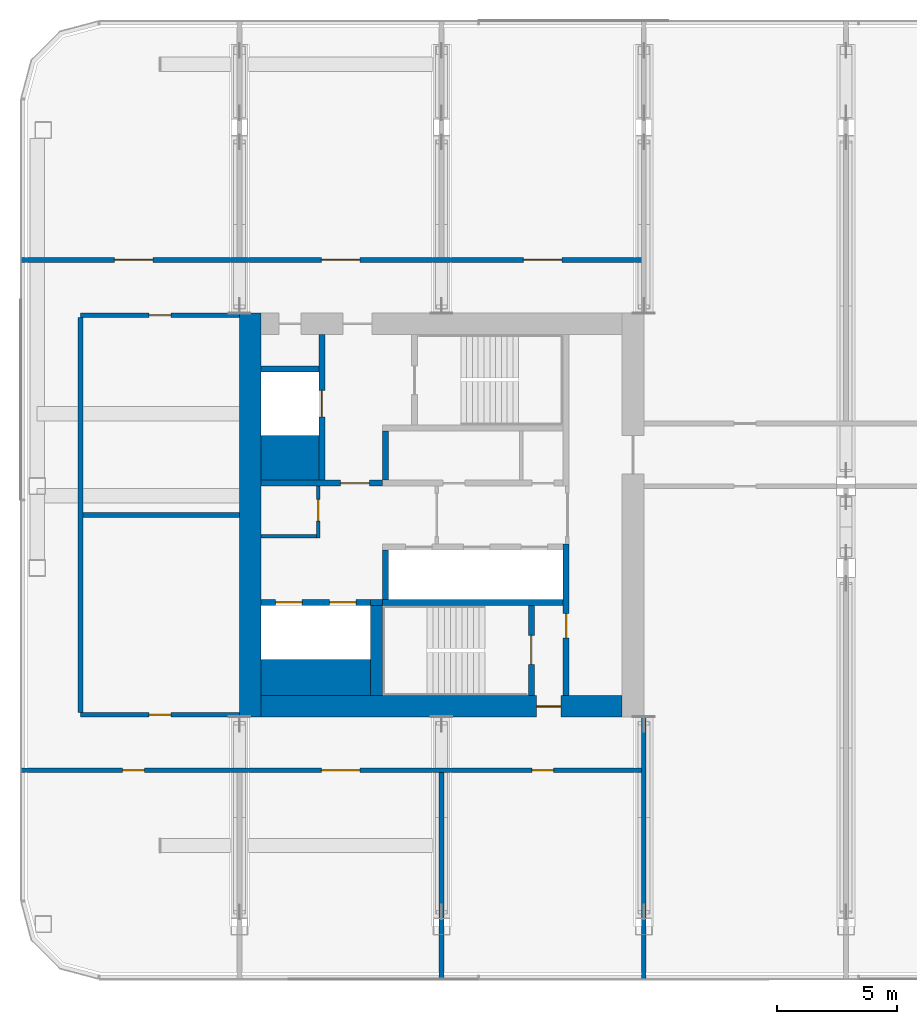
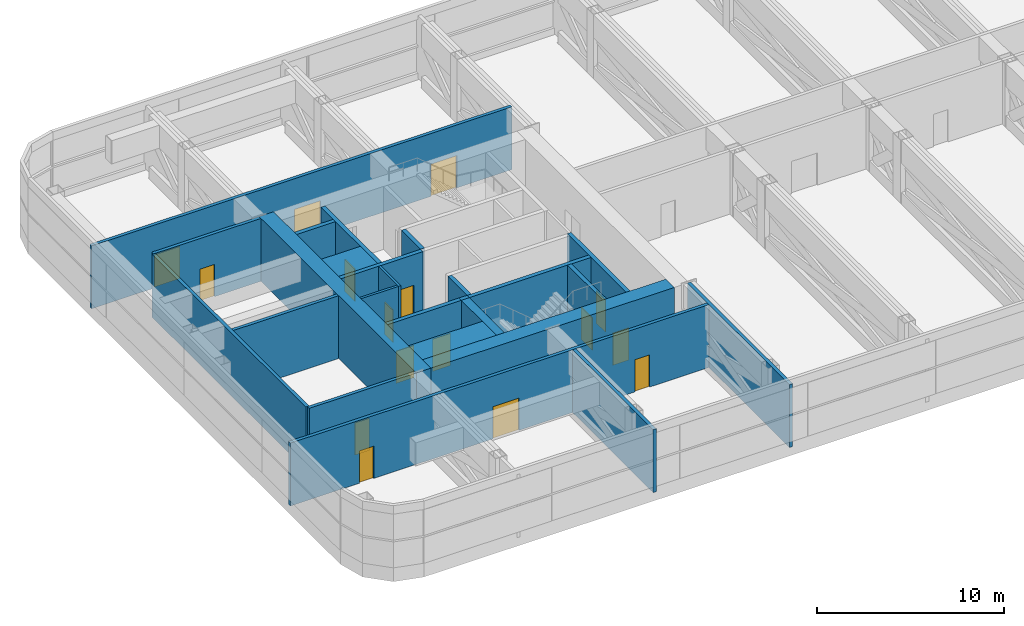
# One storey, part 15 of 33: 25 walls, 16 doors, 16 openings.
"""IFC4 building model written with IfcOpenShell, lengths in metres."""

from ifc_helpers import new_model, si_unit, direction, frame, frame_2d, origin, place, context, subcontext, project, spatial, rectangle, extrude, material, layer, layer_set, type_object, element, fill, save


model = new_model("IFC4")

# Units and contexts
model_context = context("Model", 3, precision=1e-05, world=origin(), true_north=direction((0.0, 1.0)))
body_context = subcontext(model_context, "Body", "Model", "MODEL_VIEW")
ifc_project = project(units=[si_unit("LENGTHUNIT", "METRE"), si_unit("AREAUNIT", "SQUARE_METRE"), si_unit("VOLUMEUNIT", "CUBIC_METRE"), si_unit("PLANEANGLEUNIT", "RADIAN"), si_unit("MASSUNIT", "GRAM", prefix="KILO")], contexts=[model_context])

# Site, building, storey
site_placement = place(None, origin())
site = spatial("IfcSite", under=ifc_project, at=site_placement, CompositionType="ELEMENT")
building_placement = place(site_placement, origin())
building = spatial("IfcBuilding", under=site, at=building_placement, Name="Hakoniwa Tower and Hamabe Station Hall", CompositionType="ELEMENT")
storey_placement = place(building_placement, frame((0.0, 0.0, 175.800048828125)))
storey = spatial("IfcBuildingStorey", under=building, at=storey_placement, Name="L50", CompositionType="ELEMENT", Elevation=175.800048828125)

# Wall, opening, door
ifc_material_1 = material(Name="Gypsum board partition")
ifc_layer_1 = layer(ifc_material_1, 0.14990234375)
ifc_layer_set_1 = layer_set([ifc_layer_1], Name="CORE PARTITION 150 EI 60")
wall_type_1 = type_object("IfcWallType", Name="CORE PARTITION 150 EI 60", PredefinedType="PARTITIONING", material=ifc_layer_set_1)
wall_1_placement = place(storey_placement, frame((-30.324951171875, -0.949951171875, 0.0), z_axis=(0.0, 0.0, 1.0), x_axis=(0.0, 1.0, 0.0)))
wall_1 = element("IfcWall", 1, at=wall_1_placement, inside=storey, type_object=wall_type_1, Name="Core partition PW0 west", PredefinedType="PARTITIONING", context=body_context, shape_type="SweptSolid", body=[
    extrude(rectangle(XDim=2.14990234375, YDim=0.14990234375, at=frame_2d((1.074951171875, 0.0))), origin(), (0.0, 0.0, 1.0), 4.099853515625),
])
opening_1_placement = place(wall_1_placement, frame((0.699951171875, 0.0, 0.0)))
opening_1 = element("IfcOpeningElement", 2, at=opening_1_placement, cuts=wall_1, Name="Opening CD-W-RM1-9", PredefinedType="OPENING", context=body_context, shape_type="SweptSolid", body=[
    extrude(rectangle(XDim=0.89990234375, YDim=2.10009765625, at=frame_2d((0.449951171875, 1.050048828125))), frame((0.0, 0.0849609375, 0.0), z_axis=(0.0, -1.0, 0.0), x_axis=(1.0, 0.0, 0.0)), (0.0, 0.0, 1.0), 0.169921875),
])
ifc_material_2 = material(Name="Steel fire door", Category="steel")
door_type_1 = type_object("IfcDoorType", Name="CORE DOOR 900 FD30", OperationType="NOTDEFINED", PredefinedType="DOOR", material=ifc_material_2)
door_1_placement = place(opening_1_placement, origin())
door_1 = element("IfcDoor", 3, at=door_1_placement, inside=storey, type_object=door_type_1, Name="Store room door", OperationType="SINGLE_SWING_LEFT", OverallHeight=2.10009765625, OverallWidth=0.89990234375, PredefinedType="DOOR", context=body_context, shape_type="SweptSolid", body=[
    extrude(rectangle(XDim=0.89990234375, YDim=2.10009765625, at=frame_2d((0.449951171875, 1.050048828125))), frame((0.0, 0.02490234375, 0.0), z_axis=(0.0, -1.0, 0.0), x_axis=(1.0, 0.0, 0.0)), (0.0, 0.0, 1.0), 0.050048828125),
])
fill(opening_1, door_1)

# Walls
wall_2_placement = place(storey_placement, frame((-32.699951171875, -0.875, 0.0), z_axis=(0.0, 0.0, 1.0), x_axis=(1.0, 0.0, 0.0)))
element("IfcWall", 4, at=wall_2_placement, inside=storey, type_object=wall_type_1, Name="Core partition PS west", PredefinedType="PARTITIONING", context=body_context, shape_type="SweptSolid", body=[
    extrude(rectangle(XDim=2.300048828125, YDim=0.14990234375, at=frame_2d((1.14990234375, 0.0))), origin(), (0.0, 0.0, 1.0), 4.099853515625),
])
ifc_material_3 = material(Name="Concrete C66", Category="concrete")
ifc_layer_2 = layer(ifc_material_3, 0.89990234375)
ifc_layer_set_2 = layer_set([ifc_layer_2], Name="CORE WALL 900 C66")
wall_type_2 = type_object("IfcWallType", Name="CORE WALL 900 C66", PredefinedType="SHEAR", material=ifc_layer_set_2)
wall_3_placement = place(storey_placement, frame((-33.14990234375, -8.39990234375, 0.0), z_axis=(0.0, 0.0, 1.0), x_axis=(0.0, 1.0, 0.0)))
element("IfcWall", 5, at=wall_3_placement, inside=storey, type_object=wall_type_2, Name="Core wall OUTER west", PredefinedType="SHEAR", context=body_context, shape_type="SweptSolid", body=[
    extrude(rectangle(XDim=16.7998046875, YDim=0.89990234375, at=frame_2d((8.39990234375, 0.0))), origin(), (0.0, 0.0, 1.0), 4.099853515625),
])

# Wall, opening, door
wall_4_placement = place(storey_placement, frame((-32.699951171875, -7.949951171875, 0.0), z_axis=(0.0, 0.0, 1.0), x_axis=(1.0, 0.0, 0.0)))
wall_4 = element("IfcWall", 6, at=wall_4_placement, inside=storey, type_object=wall_type_2, Name="Core wall SOUTH west", PredefinedType="SHEAR", context=body_context, shape_type="SweptSolid", body=[
    extrude(rectangle(XDim=15.0, YDim=0.89990234375, at=frame_2d((7.5, 0.0))), origin(), (0.0, 0.0, 1.0), 4.099853515625),
])
opening_2_placement = place(wall_4_placement, frame((11.449951171875, 0.0, 0.0)))
opening_2 = element("IfcOpeningElement", 7, at=opening_2_placement, cuts=wall_4, Name="Opening CD-W-FS3-10", PredefinedType="OPENING", context=body_context, shape_type="SweptSolid", body=[
    extrude(rectangle(XDim=1.0, YDim=2.10009765625, at=frame_2d((0.5, 1.050048828125))), frame((0.0, 0.4599609375, 0.0), z_axis=(0.0, -1.0, 0.0), x_axis=(1.0, 0.0, 0.0)), (0.0, 0.0, 1.0), 0.919921875),
])
ifc_material_4 = material(Name="Steel fire door", Category="steel")
door_type_2 = type_object("IfcDoorType", Name="CORE DOOR 1000 FD60", OperationType="NOTDEFINED", PredefinedType="DOOR", material=ifc_material_4)
door_2_placement = place(opening_2_placement, origin())
door_2 = element("IfcDoor", 8, at=door_2_placement, inside=storey, type_object=door_type_2, Name="Stair vestibule door", OperationType="SINGLE_SWING_LEFT", OverallHeight=2.10009765625, OverallWidth=1.0, PredefinedType="DOOR", context=body_context, shape_type="SweptSolid", body=[
    extrude(rectangle(XDim=1.0, YDim=2.10009765625, at=frame_2d((0.5, 1.050048828125))), frame((0.0, 0.02490234375, 0.0), z_axis=(0.0, -1.0, 0.0), x_axis=(1.0, 0.0, 0.0)), (0.0, 0.0, 1.0), 0.050048828125),
])
fill(opening_2, door_2)

# Walls
ifc_material_5 = material(Name="Concrete C66", Category="concrete")
ifc_layer_3 = layer(ifc_material_5, 1.5)
ifc_layer_set_3 = layer_set([ifc_layer_3], Name="CORE WEB WALL 1500 C66")
wall_type_3 = type_object("IfcWallType", Name="CORE WEB WALL 1500 C66", PredefinedType="SHEAR", material=ifc_layer_set_3)
wall_5_placement = place(storey_placement, frame((-32.699951171875, -6.75, 0.0), z_axis=(0.0, 0.0, 1.0), x_axis=(1.0, 0.0, 0.0)))
element("IfcWall", 9, at=wall_5_placement, inside=storey, type_object=wall_type_3, Name="Core wall SER west", PredefinedType="SHEAR", context=body_context, shape_type="SweptSolid", body=[
    extrude(rectangle(XDim=4.550048828125, YDim=1.5, at=frame_2d((2.27490234375, 0.0))), origin(), (0.0, 0.0, 1.0), 4.099853515625),
])
ifc_material_6 = material(Name="Concrete C66", Category="concrete")
ifc_layer_4 = layer(ifc_material_6, 1.85009765625)
ifc_layer_set_4 = layer_set([ifc_layer_4], Name="CORE WEB WALL 1850 C66")
wall_type_4 = type_object("IfcWallType", Name="CORE WEB WALL 1850 C66", PredefinedType="SHEAR", material=ifc_layer_set_4)
wall_6_placement = place(storey_placement, frame((-32.699951171875, 2.375, 0.0), z_axis=(0.0, 0.0, 1.0), x_axis=(1.0, 0.0, 0.0)))
element("IfcWall", 10, at=wall_6_placement, inside=storey, type_object=wall_type_4, Name="Core wall CA west", PredefinedType="SHEAR", context=body_context, shape_type="SweptSolid", body=[
    extrude(rectangle(XDim=2.39990234375, YDim=1.85009765625, at=frame_2d((1.199951171875, 0.0))), origin(), (0.0, 0.0, 1.0), 4.099853515625),
])

# Wall, opening, door
ifc_material_7 = material(Name="Concrete C66", Category="concrete")
ifc_layer_5 = layer(ifc_material_7, 0.25)
ifc_layer_set_5 = layer_set([ifc_layer_5], Name="CORE WEB WALL 250 C66")
wall_type_5 = type_object("IfcWallType", Name="CORE WEB WALL 250 C66", PredefinedType="SHEAR", material=ifc_layer_set_5)
wall_7_placement = place(storey_placement, frame((-20.02490234375, -7.5, 0.0), z_axis=(0.0, 0.0, 1.0), x_axis=(0.0, 1.0, 0.0)))
wall_7 = element("IfcWall", 11, at=wall_7_placement, inside=storey, type_object=wall_type_5, Name="Core wall W1S west", PredefinedType="SHEAR", context=body_context, shape_type="SweptSolid", body=[
    extrude(rectangle(XDim=6.300048828125, YDim=0.25, at=frame_2d((3.14990234375, 0.0))), origin(), (0.0, 0.0, 1.0), 4.099853515625),
])
opening_3_placement = place(wall_7_placement, frame((2.39990234375, 0.0, 0.0)))
opening_3 = element("IfcOpeningElement", 12, at=opening_3_placement, cuts=wall_7, Name="Opening CD-W-VS-10", PredefinedType="OPENING", context=body_context, shape_type="SweptSolid", body=[
    extrude(rectangle(XDim=1.0, YDim=2.10009765625, at=frame_2d((0.5, 1.050048828125))), frame((0.0, 0.135009765625, 0.0), z_axis=(0.0, -1.0, 0.0), x_axis=(1.0, 0.0, 0.0)), (0.0, 0.0, 1.0), 0.27001953125),
])
door_3_placement = place(opening_3_placement, origin())
door_3 = element("IfcDoor", 13, at=door_3_placement, inside=storey, type_object=door_type_2, Name="Stair vestibule door", OperationType="SINGLE_SWING_LEFT", OverallHeight=2.10009765625, OverallWidth=1.0, PredefinedType="DOOR", context=body_context, shape_type="SweptSolid", body=[
    extrude(rectangle(XDim=1.0, YDim=2.10009765625, at=frame_2d((0.5, 1.050048828125))), frame((0.0, 0.02490234375, 0.0), z_axis=(0.0, -1.0, 0.0), x_axis=(1.0, 0.0, 0.0)), (0.0, 0.0, 1.0), 0.050048828125),
])
fill(opening_3, door_3)

# Wall
wall_8_placement = place(storey_placement, frame((-27.52490234375, 1.449951171875, 0.0), z_axis=(0.0, 0.0, 1.0), x_axis=(0.0, 1.0, 0.0)))
element("IfcWall", 14, at=wall_8_placement, inside=storey, type_object=wall_type_5, Name="Core wall NE west", PredefinedType="SHEAR", context=body_context, shape_type="SweptSolid", body=[
    extrude(rectangle(XDim=2.050048828125, YDim=0.25, at=frame_2d((1.02490234375, 0.0))), origin(), (0.0, 0.0, 1.0), 4.099853515625),
])

# Wall, opening, door
wall_9_placement = place(storey_placement, frame((-32.699951171875, 1.324951171875, 0.0), z_axis=(0.0, 0.0, 1.0), x_axis=(1.0, 0.0, 0.0)))
wall_9 = element("IfcWall", 15, at=wall_9_placement, inside=storey, type_object=wall_type_5, Name="Core wall ELN west", PredefinedType="SHEAR", context=body_context, shape_type="SweptSolid", body=[
    extrude(rectangle(XDim=5.050048828125, YDim=0.25, at=frame_2d((2.52490234375, 0.0))), origin(), (0.0, 0.0, 1.0), 4.099853515625),
])
opening_4_placement = place(wall_9_placement, frame((3.300048828125, 0.0, 0.0)))
opening_4 = element("IfcOpeningElement", 16, at=opening_4_placement, cuts=wall_9, Name="Opening CD-W-FL-12", PredefinedType="OPENING", context=body_context, shape_type="SweptSolid", body=[
    extrude(rectangle(XDim=1.199951171875, YDim=2.10009765625, at=frame_2d((0.60009765625, 1.050048828125))), frame((0.0, 0.135009765625, 0.0), z_axis=(0.0, -1.0, 0.0), x_axis=(1.0, 0.0, 0.0)), (0.0, 0.0, 1.0), 0.27001953125),
])
ifc_material_8 = material(Name="Steel fire door", Category="steel")
door_type_3 = type_object("IfcDoorType", Name="CORE DOOR 1200 FD60", OperationType="DOUBLE_DOOR_SINGLE_SWING", PredefinedType="DOOR", material=ifc_material_8)
door_4_placement = place(opening_4_placement, origin())
door_4 = element("IfcDoor", 17, at=door_4_placement, inside=storey, type_object=door_type_3, Name="Stair vestibule door to the fire-fighting lobby", OperationType="DOUBLE_DOOR_SINGLE_SWING", OverallHeight=2.10009765625, OverallWidth=1.199951171875, PredefinedType="DOOR", context=body_context, shape_type="SweptSolid", body=[
    extrude(rectangle(XDim=1.199951171875, YDim=2.10009765625, at=frame_2d((0.60009765625, 1.050048828125))), frame((0.0, 0.02490234375, 0.0), z_axis=(0.0, -1.0, 0.0), x_axis=(1.0, 0.0, 0.0)), (0.0, 0.0, 1.0), 0.050048828125),
])
fill(opening_4, door_4)

wall_10_placement = place(storey_placement, frame((-30.175048828125, 1.449951171875, 0.0), z_axis=(0.0, 0.0, 1.0), x_axis=(0.0, 1.0, 0.0)))
wall_10 = element("IfcWall", 18, at=wall_10_placement, inside=storey, type_object=wall_type_5, Name="Core wall FFF west", PredefinedType="SHEAR", context=body_context, shape_type="SweptSolid", body=[
    extrude(rectangle(XDim=6.050048828125, YDim=0.25, at=frame_2d((3.02490234375, 0.0))), origin(), (0.0, 0.0, 1.0), 4.099853515625),
])
opening_5_placement = place(wall_10_placement, frame((2.625, 0.0, 0.0)))
opening_5 = element("IfcOpeningElement", 19, at=opening_5_placement, cuts=wall_10, Name="Opening LD-FF1", PredefinedType="OPENING", context=body_context, shape_type="SweptSolid", body=[
    extrude(rectangle(XDim=1.10009765625, YDim=2.10009765625, at=frame_2d((0.550048828125, 1.050048828125))), frame((0.0, 0.135009765625, 0.0), z_axis=(0.0, -1.0, 0.0), x_axis=(1.0, 0.0, 0.0)), (0.0, 0.0, 1.0), 0.27001953125),
])
ifc_material_9 = material(Name="Stainless steel SUS304", Category="steel")
door_type_4 = type_object("IfcDoorType", Name="LIFT LANDING DOOR 1100 FD60", OperationType="DOUBLE_DOOR_SLIDING", PredefinedType="DOOR", material=ifc_material_9)
door_5_placement = place(opening_5_placement, origin())
door_5 = element("IfcDoor", 20, at=door_5_placement, inside=storey, type_object=door_type_4, Name="Lift landing door FF1 L50", OperationType="DOUBLE_DOOR_SLIDING", OverallHeight=2.10009765625, OverallWidth=1.10009765625, PredefinedType="DOOR", context=body_context, shape_type="SweptSolid", body=[
    extrude(rectangle(XDim=1.10009765625, YDim=2.10009765625, at=frame_2d((0.550048828125, 1.050048828125))), frame((0.0, 0.02490234375, 0.0), z_axis=(0.0, -1.0, 0.0), x_axis=(1.0, 0.0, 0.0)), (0.0, 0.0, 1.0), 0.050048828125),
])
fill(opening_5, door_5)

# Walls
wall_11_placement = place(storey_placement, frame((-32.699951171875, 6.074951171875, 0.0), z_axis=(0.0, 0.0, 1.0), x_axis=(1.0, 0.0, 0.0)))
element("IfcWall", 21, at=wall_11_placement, inside=storey, type_object=wall_type_5, Name="Core wall C2 west", PredefinedType="SHEAR", context=body_context, shape_type="SweptSolid", body=[
    extrude(rectangle(XDim=2.39990234375, YDim=0.25, at=frame_2d((1.199951171875, 0.0))), origin(), (0.0, 0.0, 1.0), 4.099853515625),
])
wall_12_placement = place(storey_placement, frame((-27.52490234375, -3.5, 0.0), z_axis=(0.0, 0.0, 1.0), x_axis=(0.0, 1.0, 0.0)))
element("IfcWall", 22, at=wall_12_placement, inside=storey, type_object=wall_type_5, Name="Core wall SE west", PredefinedType="SHEAR", context=body_context, shape_type="SweptSolid", body=[
    extrude(rectangle(XDim=2.050048828125, YDim=0.25, at=frame_2d((1.02490234375, 0.0))), origin(), (0.0, 0.0, 1.0), 4.099853515625),
])
wall_13_placement = place(storey_placement, frame((-27.64990234375, -3.625, 0.0), z_axis=(0.0, 0.0, 1.0), x_axis=(1.0, 0.0, 0.0)))
element("IfcWall", 23, at=wall_13_placement, inside=storey, type_object=wall_type_5, Name="Core wall SR west", PredefinedType="SHEAR", context=body_context, shape_type="SweptSolid", body=[
    extrude(rectangle(XDim=7.5, YDim=0.25, at=frame_2d((3.75, 0.0))), origin(), (0.0, 0.0, 1.0), 4.099853515625),
])

# Wall, opening, door
wall_14_placement = place(storey_placement, frame((-21.47509765625, -7.5, 0.0), z_axis=(0.0, 0.0, 1.0), x_axis=(0.0, 1.0, 0.0)))
wall_14 = element("IfcWall", 24, at=wall_14_placement, inside=storey, type_object=wall_type_5, Name="Core wall VE west", PredefinedType="SHEAR", context=body_context, shape_type="SweptSolid", body=[
    extrude(rectangle(XDim=3.75, YDim=0.25, at=frame_2d((1.875, 0.0))), origin(), (0.0, 0.0, 1.0), 4.099853515625),
])
opening_6_placement = place(wall_14_placement, frame((1.300048828125, 0.0, 0.0)))
opening_6 = element("IfcOpeningElement", 25, at=opening_6_placement, cuts=wall_14, Name="Opening CD-W-SS-12", PredefinedType="OPENING", context=body_context, shape_type="SweptSolid", body=[
    extrude(rectangle(XDim=1.199951171875, YDim=2.10009765625, at=frame_2d((0.60009765625, 1.050048828125))), frame((0.0, 0.135009765625, 0.0), z_axis=(0.0, -1.0, 0.0), x_axis=(1.0, 0.0, 0.0)), (0.0, 0.0, 1.0), 0.27001953125),
])
door_6_placement = place(opening_6_placement, origin())
door_6 = element("IfcDoor", 26, at=door_6_placement, inside=storey, type_object=door_type_3, Name="Escape stair door", OperationType="DOUBLE_DOOR_SINGLE_SWING", OverallHeight=2.10009765625, OverallWidth=1.199951171875, PredefinedType="DOOR", context=body_context, shape_type="SweptSolid", body=[
    extrude(rectangle(XDim=1.199951171875, YDim=2.10009765625, at=frame_2d((0.60009765625, 1.050048828125))), frame((0.0, 0.02490234375, 0.0), z_axis=(0.0, -1.0, 0.0), x_axis=(1.0, 0.0, 0.0)), (0.0, 0.0, 1.0), 0.050048828125),
])
fill(opening_6, door_6)

# Wall, openings, doors
wall_15_placement = place(storey_placement, frame((-32.699951171875, -3.625, 0.0), z_axis=(0.0, 0.0, 1.0), x_axis=(1.0, 0.0, 0.0)))
wall_15 = element("IfcWall", 27, at=wall_15_placement, inside=storey, type_object=wall_type_5, Name="Core wall SEF west", PredefinedType="SHEAR", context=body_context, shape_type="SweptSolid", body=[
    extrude(rectangle(XDim=4.550048828125, YDim=0.25, at=frame_2d((2.27490234375, 0.0))), origin(), (0.0, 0.0, 1.0), 4.099853515625),
])
opening_7_placement = place(wall_15_placement, frame((2.85009765625, 0.0, 0.0)))
opening_7 = element("IfcOpeningElement", 28, at=opening_7_placement, cuts=wall_15, Name="Opening LD-SV1", PredefinedType="OPENING", context=body_context, shape_type="SweptSolid", body=[
    extrude(rectangle(XDim=1.10009765625, YDim=2.10009765625, at=frame_2d((0.550048828125, 1.050048828125))), frame((0.0, 0.135009765625, 0.0), z_axis=(0.0, -1.0, 0.0), x_axis=(1.0, 0.0, 0.0)), (0.0, 0.0, 1.0), 0.27001953125),
])
opening_8_placement = place(wall_15_placement, frame((0.60009765625, 0.0, 0.0)))
opening_8 = element("IfcOpeningElement", 29, at=opening_8_placement, cuts=wall_15, Name="Opening LD-SV2", PredefinedType="OPENING", context=body_context, shape_type="SweptSolid", body=[
    extrude(rectangle(XDim=1.10009765625, YDim=2.10009765625, at=frame_2d((0.550048828125, 1.050048828125))), frame((0.0, 0.135009765625, 0.0), z_axis=(0.0, -1.0, 0.0), x_axis=(1.0, 0.0, 0.0)), (0.0, 0.0, 1.0), 0.27001953125),
])
door_7_placement = place(opening_7_placement, origin())
door_7 = element("IfcDoor", 30, at=door_7_placement, inside=storey, type_object=door_type_4, Name="Lift landing door SV1 L50", OperationType="DOUBLE_DOOR_SLIDING", OverallHeight=2.10009765625, OverallWidth=1.10009765625, PredefinedType="DOOR", context=body_context, shape_type="SweptSolid", body=[
    extrude(rectangle(XDim=1.10009765625, YDim=2.10009765625, at=frame_2d((0.550048828125, 1.050048828125))), frame((0.0, 0.02490234375, 0.0), z_axis=(0.0, -1.0, 0.0), x_axis=(1.0, 0.0, 0.0)), (0.0, 0.0, 1.0), 0.050048828125),
])
fill(opening_7, door_7)
door_8_placement = place(opening_8_placement, origin())
door_8 = element("IfcDoor", 31, at=door_8_placement, inside=storey, type_object=door_type_4, Name="Lift landing door SV2 L50", OperationType="DOUBLE_DOOR_SLIDING", OverallHeight=2.10009765625, OverallWidth=1.10009765625, PredefinedType="DOOR", context=body_context, shape_type="SweptSolid", body=[
    extrude(rectangle(XDim=1.10009765625, YDim=2.10009765625, at=frame_2d((0.550048828125, 1.050048828125))), frame((0.0, 0.02490234375, 0.0), z_axis=(0.0, -1.0, 0.0), x_axis=(1.0, 0.0, 0.0)), (0.0, 0.0, 1.0), 0.050048828125),
])
fill(opening_8, door_8)

# Walls
wall_16_placement = place(storey_placement, frame((-28.14990234375, -3.625, 0.0), z_axis=(0.0, 0.0, 1.0), x_axis=(1.0, 0.0, 0.0)))
element("IfcWall", 32, at=wall_16_placement, inside=storey, type_object=wall_type_5, Name="Core wall SRK west", PredefinedType="SHEAR", context=body_context, shape_type="SweptSolid", body=[
    extrude(rectangle(XDim=0.5, YDim=0.25, at=frame_2d((0.25, 0.0))), origin(), (0.0, 0.0, 1.0), 4.099853515625),
])
ifc_material_10 = material(Name="Concrete C66", Category="concrete")
ifc_layer_6 = layer(ifc_material_10, 0.5)
ifc_layer_set_6 = layer_set([ifc_layer_6], Name="CORE WEB WALL 500 C66")
wall_type_6 = type_object("IfcWallType", Name="CORE WEB WALL 500 C66", PredefinedType="SHEAR", material=ifc_layer_set_6)
wall_17_placement = place(storey_placement, frame((-27.89990234375, -7.5, 0.0), z_axis=(0.0, 0.0, 1.0), x_axis=(0.0, 1.0, 0.0)))
element("IfcWall", 33, at=wall_17_placement, inside=storey, type_object=wall_type_6, Name="Core wall SSE west", PredefinedType="SHEAR", context=body_context, shape_type="SweptSolid", body=[
    extrude(rectangle(XDim=3.75, YDim=0.5, at=frame_2d((1.875, 0.0))), origin(), (0.0, 0.0, 1.0), 4.099853515625),
])

# Wall, openings, doors
ifc_material_11 = material(Name="Fire-rated gypsum board partition", Category="gypsum")
ifc_layer_7 = layer(ifc_material_11, 0.199951171875)
ifc_layer_set_7 = layer_set([ifc_layer_7], Name="Corridor Wall 200")
wall_type_7 = type_object("IfcWallType", Name="Corridor Wall 200", PredefinedType="PARTITIONING", material=ifc_layer_set_7)
wall_18_placement = place(storey_placement, frame((-42.699951171875, -10.60009765625, 0.0), z_axis=(0.0, 0.0, 1.0), x_axis=(1.0, 0.0, 0.0)))
wall_18 = element("IfcWall", 34, at=wall_18_placement, inside=storey, type_object=wall_type_7, Name="GW-L50-001", PredefinedType="PARTITIONING", context=body_context, shape_type="SweptSolid", body=[
    extrude(rectangle(XDim=25.89990234375, YDim=0.199951171875, at=frame_2d((12.949951171875, 0.0))), origin(), (0.0, 0.0, 1.0), 4.099853515625),
])
opening_9_placement = place(wall_18_placement, frame((4.25, 0.0, 0.0)))
opening_9 = element("IfcOpeningElement", 35, at=opening_9_placement, cuts=wall_18, Name="Opening GD-SL50-01", PredefinedType="OPENING", context=body_context, shape_type="SweptSolid", body=[
    extrude(rectangle(XDim=0.89990234375, YDim=2.10009765625, at=frame_2d((0.449951171875, 1.050048828125))), frame((0.0, 0.10986328125, 0.0), z_axis=(0.0, -1.0, 0.0), x_axis=(1.0, 0.0, 0.0)), (0.0, 0.0, 1.0), 0.219970703125),
])
opening_10_placement = place(wall_18_placement, frame((12.5, 0.0, 0.0)))
opening_10 = element("IfcOpeningElement", 36, at=opening_10_placement, cuts=wall_18, Name="Opening GD-SL50-02", PredefinedType="OPENING", context=body_context, shape_type="SweptSolid", body=[
    extrude(rectangle(XDim=1.60009765625, YDim=2.10009765625, at=frame_2d((0.800048828125, 1.050048828125))), frame((0.0, 0.10986328125, 0.0), z_axis=(0.0, -1.0, 0.0), x_axis=(1.0, 0.0, 0.0)), (0.0, 0.0, 1.0), 0.219970703125),
])
opening_11_placement = place(wall_18_placement, frame((21.25, 0.0, 0.0)))
opening_11 = element("IfcOpeningElement", 37, at=opening_11_placement, cuts=wall_18, Name="Opening GD-SL50-03", PredefinedType="OPENING", context=body_context, shape_type="SweptSolid", body=[
    extrude(rectangle(XDim=0.89990234375, YDim=2.10009765625, at=frame_2d((0.449951171875, 1.050048828125))), frame((0.0, 0.10986328125, 0.0), z_axis=(0.0, -1.0, 0.0), x_axis=(1.0, 0.0, 0.0)), (0.0, 0.0, 1.0), 0.219970703125),
])
ifc_material_12 = material(Name="Timber door leaf", Category="wood")
door_type_5 = type_object("IfcDoorType", Name="Double Door 1600", OperationType="DOUBLE_DOOR_SINGLE_SWING", PredefinedType="DOOR", material=ifc_material_12)
door_9_placement = place(opening_10_placement, origin())
door_9 = element("IfcDoor", 38, at=door_9_placement, inside=storey, type_object=door_type_5, Name="Door GD-SL50-02", OperationType="DOUBLE_DOOR_SINGLE_SWING", OverallHeight=2.10009765625, OverallWidth=1.60009765625, PredefinedType="DOOR", context=body_context, shape_type="SweptSolid", body=[
    extrude(rectangle(XDim=1.60009765625, YDim=2.10009765625, at=frame_2d((0.800048828125, 1.050048828125))), frame((0.0, 0.02490234375, 0.0), z_axis=(0.0, -1.0, 0.0), x_axis=(1.0, 0.0, 0.0)), (0.0, 0.0, 1.0), 0.050048828125),
])
fill(opening_10, door_9)
ifc_material_13 = material(Name="Timber door leaf", Category="wood")
door_type_6 = type_object("IfcDoorType", Name="Service Door 900", OperationType="SINGLE_SWING_LEFT", PredefinedType="DOOR", material=ifc_material_13)
door_10_placement = place(opening_9_placement, origin())
door_10 = element("IfcDoor", 39, at=door_10_placement, inside=storey, type_object=door_type_6, Name="Door GD-SL50-01", OperationType="SINGLE_SWING_LEFT", OverallHeight=2.10009765625, OverallWidth=0.89990234375, PredefinedType="DOOR", context=body_context, shape_type="SweptSolid", body=[
    extrude(rectangle(XDim=0.89990234375, YDim=2.10009765625, at=frame_2d((0.449951171875, 1.050048828125))), frame((0.0, 0.02490234375, 0.0), z_axis=(0.0, -1.0, 0.0), x_axis=(1.0, 0.0, 0.0)), (0.0, 0.0, 1.0), 0.050048828125),
])
fill(opening_9, door_10)
door_11_placement = place(opening_11_placement, origin())
door_11 = element("IfcDoor", 40, at=door_11_placement, inside=storey, type_object=door_type_6, Name="Door GD-SL50-03", OperationType="SINGLE_SWING_LEFT", OverallHeight=2.10009765625, OverallWidth=0.89990234375, PredefinedType="DOOR", context=body_context, shape_type="SweptSolid", body=[
    extrude(rectangle(XDim=0.89990234375, YDim=2.10009765625, at=frame_2d((0.449951171875, 1.050048828125))), frame((0.0, 0.02490234375, 0.0), z_axis=(0.0, -1.0, 0.0), x_axis=(1.0, 0.0, 0.0)), (0.0, 0.0, 1.0), 0.050048828125),
])
fill(opening_11, door_11)

# Wall, opening, door
wall_19_placement = place(storey_placement, frame((-40.199951171875, -8.300048828125, 0.0), z_axis=(0.0, 0.0, 1.0), x_axis=(1.0, 0.0, 0.0)))
wall_19 = element("IfcWall", 41, at=wall_19_placement, inside=storey, type_object=wall_type_7, Name="GW-L50-003", PredefinedType="PARTITIONING", context=body_context, shape_type="SweptSolid", body=[
    extrude(rectangle(XDim=6.599853515625, YDim=0.199951171875, at=frame_2d((3.2998046875, 0.0))), origin(), (0.0, 0.0, 1.0), 4.099853515625),
])
opening_12_placement = place(wall_19_placement, frame((2.85009765625, 0.0, 0.0)))
opening_12 = element("IfcOpeningElement", 42, at=opening_12_placement, cuts=wall_19, Name="Opening GD-SL50-07", PredefinedType="OPENING", context=body_context, shape_type="SweptSolid", body=[
    extrude(rectangle(XDim=0.89990234375, YDim=2.10009765625, at=frame_2d((0.449951171875, 1.050048828125))), frame((0.0, 0.10986328125, 0.0), z_axis=(0.0, -1.0, 0.0), x_axis=(1.0, 0.0, 0.0)), (0.0, 0.0, 1.0), 0.219970703125),
])
door_12_placement = place(opening_12_placement, origin())
door_12 = element("IfcDoor", 43, at=door_12_placement, inside=storey, type_object=door_type_6, Name="Door GD-SL50-07", OperationType="SINGLE_SWING_RIGHT", OverallHeight=2.10009765625, OverallWidth=0.89990234375, PredefinedType="DOOR", context=body_context, shape_type="SweptSolid", body=[
    extrude(rectangle(XDim=0.89990234375, YDim=2.10009765625, at=frame_2d((0.449951171875, 1.050048828125))), frame((0.0, 0.02490234375, 0.0), z_axis=(0.0, -1.0, 0.0), x_axis=(1.0, 0.0, 0.0)), (0.0, 0.0, 1.0), 0.050048828125),
])
fill(opening_12, door_12)

wall_20_placement = place(storey_placement, frame((-40.199951171875, 8.300048828125, 0.0), z_axis=(0.0, 0.0, 1.0), x_axis=(1.0, 0.0, 0.0)))
wall_20 = element("IfcWall", 44, at=wall_20_placement, inside=storey, type_object=wall_type_7, Name="GW-L50-009", PredefinedType="PARTITIONING", context=body_context, shape_type="SweptSolid", body=[
    extrude(rectangle(XDim=6.599853515625, YDim=0.199951171875, at=frame_2d((3.2998046875, 0.0))), origin(), (0.0, 0.0, 1.0), 4.099853515625),
])
opening_13_placement = place(wall_20_placement, frame((2.85009765625, 0.0, 0.0)))
opening_13 = element("IfcOpeningElement", 45, at=opening_13_placement, cuts=wall_20, Name="Opening GD-SL50-17", PredefinedType="OPENING", context=body_context, shape_type="SweptSolid", body=[
    extrude(rectangle(XDim=0.89990234375, YDim=2.10009765625, at=frame_2d((0.449951171875, 1.050048828125))), frame((0.0, 0.10986328125, 0.0), z_axis=(0.0, -1.0, 0.0), x_axis=(1.0, 0.0, 0.0)), (0.0, 0.0, 1.0), 0.219970703125),
])
door_13_placement = place(opening_13_placement, origin())
door_13 = element("IfcDoor", 46, at=door_13_placement, inside=storey, type_object=door_type_6, Name="Door GD-SL50-17", OperationType="SINGLE_SWING_RIGHT", OverallHeight=2.10009765625, OverallWidth=0.89990234375, PredefinedType="DOOR", context=body_context, shape_type="SweptSolid", body=[
    extrude(rectangle(XDim=0.89990234375, YDim=2.10009765625, at=frame_2d((0.449951171875, 1.050048828125))), frame((0.0, 0.02490234375, 0.0), z_axis=(0.0, -1.0, 0.0), x_axis=(1.0, 0.0, 0.0)), (0.0, 0.0, 1.0), 0.050048828125),
])
fill(opening_13, door_13)

# Wall, openings, doors
wall_21_placement = place(storey_placement, frame((-42.699951171875, 10.60009765625, 0.0), z_axis=(0.0, 0.0, 1.0), x_axis=(1.0, 0.0, 0.0)))
wall_21 = element("IfcWall", 47, at=wall_21_placement, inside=storey, type_object=wall_type_7, Name="GW-L50-011", PredefinedType="PARTITIONING", context=body_context, shape_type="SweptSolid", body=[
    extrude(rectangle(XDim=25.89990234375, YDim=0.199951171875, at=frame_2d((12.949951171875, 0.0))), origin(), (0.0, 0.0, 1.0), 4.099853515625),
])
opening_14_placement = place(wall_21_placement, frame((3.89990234375, 0.0, 0.0)))
opening_14 = element("IfcOpeningElement", 48, at=opening_14_placement, cuts=wall_21, Name="Opening GD-SL50-20", PredefinedType="OPENING", context=body_context, shape_type="SweptSolid", body=[
    extrude(rectangle(XDim=1.60009765625, YDim=2.10009765625, at=frame_2d((0.800048828125, 1.050048828125))), frame((0.0, 0.10986328125, 0.0), z_axis=(0.0, -1.0, 0.0), x_axis=(1.0, 0.0, 0.0)), (0.0, 0.0, 1.0), 0.219970703125),
])
opening_15_placement = place(wall_21_placement, frame((12.5, 0.0, 0.0)))
opening_15 = element("IfcOpeningElement", 49, at=opening_15_placement, cuts=wall_21, Name="Opening GD-SL50-21", PredefinedType="OPENING", context=body_context, shape_type="SweptSolid", body=[
    extrude(rectangle(XDim=1.60009765625, YDim=2.10009765625, at=frame_2d((0.800048828125, 1.050048828125))), frame((0.0, 0.10986328125, 0.0), z_axis=(0.0, -1.0, 0.0), x_axis=(1.0, 0.0, 0.0)), (0.0, 0.0, 1.0), 0.219970703125),
])
opening_16_placement = place(wall_21_placement, frame((20.89990234375, 0.0, 0.0)))
opening_16 = element("IfcOpeningElement", 50, at=opening_16_placement, cuts=wall_21, Name="Opening GD-SL50-22", PredefinedType="OPENING", context=body_context, shape_type="SweptSolid", body=[
    extrude(rectangle(XDim=1.60009765625, YDim=2.10009765625, at=frame_2d((0.800048828125, 1.050048828125))), frame((0.0, 0.10986328125, 0.0), z_axis=(0.0, -1.0, 0.0), x_axis=(1.0, 0.0, 0.0)), (0.0, 0.0, 1.0), 0.219970703125),
])
door_14_placement = place(opening_14_placement, origin())
door_14 = element("IfcDoor", 51, at=door_14_placement, inside=storey, type_object=door_type_5, Name="Door GD-SL50-20", OperationType="DOUBLE_DOOR_SINGLE_SWING", OverallHeight=2.10009765625, OverallWidth=1.60009765625, PredefinedType="DOOR", context=body_context, shape_type="SweptSolid", body=[
    extrude(rectangle(XDim=1.60009765625, YDim=2.10009765625, at=frame_2d((0.800048828125, 1.050048828125))), frame((0.0, 0.02490234375, 0.0), z_axis=(0.0, -1.0, 0.0), x_axis=(1.0, 0.0, 0.0)), (0.0, 0.0, 1.0), 0.050048828125),
])
fill(opening_14, door_14)
door_15_placement = place(opening_15_placement, origin())
door_15 = element("IfcDoor", 52, at=door_15_placement, inside=storey, type_object=door_type_5, Name="Door GD-SL50-21", OperationType="DOUBLE_DOOR_SINGLE_SWING", OverallHeight=2.10009765625, OverallWidth=1.60009765625, PredefinedType="DOOR", context=body_context, shape_type="SweptSolid", body=[
    extrude(rectangle(XDim=1.60009765625, YDim=2.10009765625, at=frame_2d((0.800048828125, 1.050048828125))), frame((0.0, 0.02490234375, 0.0), z_axis=(0.0, -1.0, 0.0), x_axis=(1.0, 0.0, 0.0)), (0.0, 0.0, 1.0), 0.050048828125),
])
fill(opening_15, door_15)
door_16_placement = place(opening_16_placement, origin())
door_16 = element("IfcDoor", 53, at=door_16_placement, inside=storey, type_object=door_type_5, Name="Door GD-SL50-22", OperationType="DOUBLE_DOOR_SINGLE_SWING", OverallHeight=2.10009765625, OverallWidth=1.60009765625, PredefinedType="DOOR", context=body_context, shape_type="SweptSolid", body=[
    extrude(rectangle(XDim=1.60009765625, YDim=2.10009765625, at=frame_2d((0.800048828125, 1.050048828125))), frame((0.0, 0.02490234375, 0.0), z_axis=(0.0, -1.0, 0.0), x_axis=(1.0, 0.0, 0.0)), (0.0, 0.0, 1.0), 0.050048828125),
])
fill(opening_16, door_16)

# Walls
ifc_material_14 = material(Name="Fire-rated gypsum board partition", Category="gypsum")
ifc_layer_8 = layer(ifc_material_14, 0.199951171875)
ifc_layer_set_8 = layer_set([ifc_layer_8], Name="Party Wall 200")
wall_type_8 = type_object("IfcWallType", Name="Party Wall 200", PredefinedType="PARTITIONING", material=ifc_layer_set_8)
wall_22_placement = place(storey_placement, frame((-40.10009765625, 0.0, 0.0), z_axis=(0.0, 0.0, 1.0), x_axis=(1.0, 0.0, 0.0)))
element("IfcWall", 54, at=wall_22_placement, inside=storey, type_object=wall_type_8, Name="GW-L50-005", PredefinedType="PARTITIONING", context=body_context, shape_type="SweptSolid", body=[
    extrude(rectangle(XDim=6.5, YDim=0.199951171875, at=frame_2d((3.25, 0.0))), origin(), (0.0, 0.0, 1.0), 4.099853515625),
])
wall_23_placement = place(storey_placement, frame((-40.199951171875, -8.199951171875, 0.0), z_axis=(0.0, 0.0, 1.0), x_axis=(0.0, 1.0, 0.0)))
element("IfcWall", 55, at=wall_23_placement, inside=storey, type_object=wall_type_8, Name="GW-L50-013", PredefinedType="PARTITIONING", context=body_context, shape_type="SweptSolid", body=[
    extrude(rectangle(XDim=16.39990234375, YDim=0.199951171875, at=frame_2d((8.199951171875, 0.0))), origin(), (0.0, 0.0, 1.0), 4.099853515625),
])
wall_24_placement = place(storey_placement, frame((-25.199951171875, -19.300048828125, 0.0), z_axis=(0.0, 0.0, 1.0), x_axis=(0.0, 1.0, 0.0)))
element("IfcWall", 56, at=wall_24_placement, inside=storey, type_object=wall_type_8, Name="GW-L50-016", PredefinedType="PARTITIONING", context=body_context, shape_type="SweptSolid", body=[
    extrude(rectangle(XDim=8.60009765625, YDim=0.199951171875, at=frame_2d((4.300048828125, 0.0))), origin(), (0.0, 0.0, 1.0), 4.099853515625),
])
wall_25_placement = place(storey_placement, frame((-16.800048828125, -19.300048828125, 0.0), z_axis=(0.0, 0.0, 1.0), x_axis=(0.0, 1.0, 0.0)))
element("IfcWall", 57, at=wall_25_placement, inside=storey, type_object=wall_type_8, Name="GW-L50-018", PredefinedType="PARTITIONING", context=body_context, shape_type="SweptSolid", body=[
    extrude(rectangle(XDim=10.91015625, YDim=0.199951171875, at=frame_2d((5.455078125, 0.0))), origin(), (0.0, 0.0, 1.0), 4.099853515625),
])

save(model, "model.ifc")
